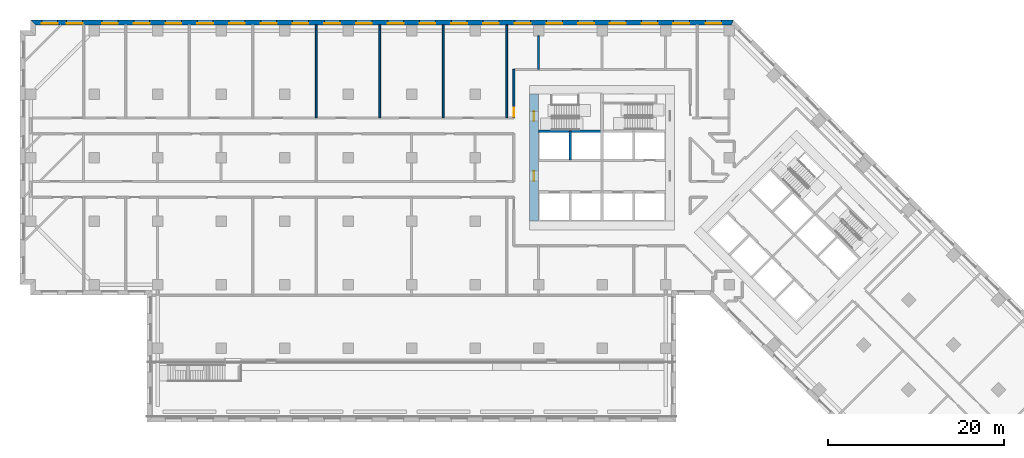
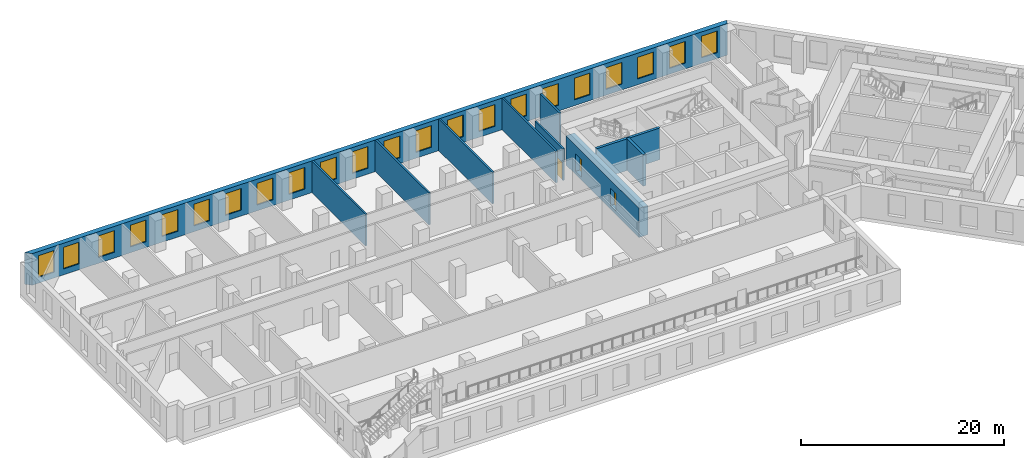
# One storey, part 5 of 13: 22 windows, 10 walls, 3 doors, 25 openings.
"""IFC4 building model written with IfcOpenShell, lengths in metres."""

import ifcopenshell
import ifcopenshell.guid

model = None  # the IFC model being written
_history = None  # IfcOwnerHistory: only IFC2X3 demands one
_inside = {}  # id of a spatial element -> (the spatial element, [elements in it])
_under = {}  # id of a project, library or spatial element -> (it, [spatial elements below it])
_declared = {}  # id of a project -> (the project, [libraries it declares])
_typed = {}  # id of a type object -> (the type object, [elements of that type])
_made_of = {}  # id of a material, layer set ... -> (it, [elements and type objects made of it])


def new_model(schema):
    """Start an empty IFC model of exactly this schema.

    Asked for "IFC4X3", IfcOpenShell would pick the latest addendum, in which some entities
    have other attributes; the version numbers below select the first issue.
    IFC2X3 requires an IfcOwnerHistory on every rooted entity: one is made here for all.
    """
    global model, _history
    if schema == "IFC4X3":
        model = ifcopenshell.file(schema_version=(4, 3, 0, 0))
    else:
        model = ifcopenshell.file(schema=schema)
    _inside.clear()
    _under.clear()
    _declared.clear()
    _typed.clear()
    _made_of.clear()
    _history = None
    if model.schema == "IFC2X3":
        org = make("IfcOrganization", Name="unknown")
        user = make(
            "IfcPersonAndOrganization",
            ThePerson=make("IfcPerson", FamilyName="unknown"),
            TheOrganization=org,
        )
        app = make(
            "IfcApplication",
            ApplicationDeveloper=org,
            Version="unknown",
            ApplicationFullName="unknown",
            ApplicationIdentifier="unknown",
        )
        _history = make(
            "IfcOwnerHistory",
            OwningUser=user,
            OwningApplication=app,
            ChangeAction="ADDED",
            CreationDate=0,
        )
    return model


def make(cls, **values):
    """One entity of the class cls with the attributes given. An attribute that is None is left unset."""
    return model.create_entity(
        cls, **{name: value for name, value in values.items() if value is not None}
    )


def rooted(cls, **values):
    """An entity with a GlobalId (a new one), such as an element, a storey or a relation."""
    return make(cls, GlobalId=ifcopenshell.guid.new(), OwnerHistory=_history, **values)


def si_unit(unit_type, name, prefix=None):
    """IfcSIUnit, for example si_unit("LENGTHUNIT", "METRE", prefix="MILLI")."""
    return make("IfcSIUnit", UnitType=unit_type, Prefix=prefix, Name=name)


def assignment(units):
    """IfcUnitAssignment: the units of a project."""
    return None if units is None else make("IfcUnitAssignment", Units=units)


def point(xyz):
    """IfcCartesianPoint."""
    return None if xyz is None else make("IfcCartesianPoint", Coordinates=xyz)


def direction(xyz):
    """IfcDirection."""
    return None if xyz is None else make("IfcDirection", DirectionRatios=xyz)


def frame(location, z_axis=None, x_axis=None):
    """IfcAxis2Placement3D, a coordinate frame: its origin and axes. An axis left out is left unset."""
    return make(
        "IfcAxis2Placement3D",
        Location=point(location),
        Axis=direction(z_axis),
        RefDirection=direction(x_axis),
    )


def frame_2d(location, x_axis=None):
    """IfcAxis2Placement2D, a coordinate frame in the plane: its origin and x axis."""
    return make(
        "IfcAxis2Placement2D", Location=point(location), RefDirection=direction(x_axis)
    )


def origin():
    """The frame at (0, 0, 0) with its axes left unset."""
    return frame((0.0, 0.0, 0.0))


def place(relative_to, where):
    """IfcLocalPlacement: puts the frame where relative to a parent placement (None: the world)."""
    return make(
        "IfcLocalPlacement", PlacementRelTo=relative_to, RelativePlacement=where
    )


def context(
    kind, dimensions, precision=None, world=None, true_north=None, identifier=None
):
    """IfcGeometricRepresentationContext, for example the 3D "Model" context."""
    return make(
        "IfcGeometricRepresentationContext",
        ContextIdentifier=identifier,
        ContextType=kind,
        CoordinateSpaceDimension=dimensions,
        Precision=precision,
        WorldCoordinateSystem=world,
        TrueNorth=true_north,
    )


def subcontext(parent, identifier, kind, view, scale=None):
    """IfcGeometricRepresentationSubContext, for example "Body" below "Model"."""
    return make(
        "IfcGeometricRepresentationSubContext",
        ContextIdentifier=identifier,
        ContextType=kind,
        ParentContext=parent,
        TargetScale=scale,
        TargetView=view,
    )


def project(units=None, contexts=None):
    """IfcProject with its units and contexts."""
    return rooted(
        "IfcProject",
        Name="project",
        RepresentationContexts=contexts,
        UnitsInContext=assignment(units),
    )


def spatial(cls, under=None, at=None, **own):
    """A site, building, storey or space (cls), placed at a placement, below another one or the project."""
    s = rooted(cls, ObjectPlacement=at, **own)
    if under is not None:
        _under.setdefault(under.id(), (under, []))[1].append(s)
    return s


def polyline(points):
    """IfcPolyline through the points."""
    return make("IfcPolyline", Points=[point(p) for p in points])


def profile(cls, at=None, kind="AREA", **sizes):
    """A parametric profile (cls). Its sizes go by their IFC names, for example OverallWidth=200.0."""
    return make(cls, ProfileType=kind, Position=at, **sizes)


def rectangle(**sizes):
    """IfcRectangleProfileDef."""
    return profile("IfcRectangleProfileDef", **sizes)


def outline(outer, holes=None, kind="AREA"):
    """IfcArbitraryClosedProfileDef: a profile drawn as a closed curve; with holes, ...WithVoids."""
    if holes is None:
        return make("IfcArbitraryClosedProfileDef", ProfileType=kind, OuterCurve=outer)
    return make(
        "IfcArbitraryProfileDefWithVoids",
        ProfileType=kind,
        OuterCurve=outer,
        InnerCurves=holes,
    )


def extrude(swept, where, along, depth):
    """IfcExtrudedAreaSolid: the profile swept, set in the frame where, extruded along a direction by depth."""
    return make(
        "IfcExtrudedAreaSolid",
        SweptArea=swept,
        Position=where,
        ExtrudedDirection=direction(along),
        Depth=depth,
    )


def shape(context_of_items, identifier, shape_type, items):
    """IfcShapeRepresentation: the items that make up one representation, for example the "Body"."""
    return make(
        "IfcShapeRepresentation",
        ContextOfItems=context_of_items,
        RepresentationIdentifier=identifier,
        RepresentationType=shape_type,
        Items=items,
    )


def material(Name=None, Category=None):
    """IfcMaterial."""
    return make("IfcMaterial", Name=Name, Category=Category)


def layer(
    of_material, thickness, ventilated=None, Name=None, Category=None, Priority=None
):
    """IfcMaterialLayer: one layer of a wall or slab, of a material (None: an air gap)."""
    return make(
        "IfcMaterialLayer",
        Material=of_material,
        LayerThickness=thickness,
        IsVentilated=ventilated,
        Name=Name,
        Category=Category,
        Priority=Priority,
    )


def layer_set(layers, Name=None):
    """IfcMaterialLayerSet."""
    return make("IfcMaterialLayerSet", MaterialLayers=layers, LayerSetName=Name)


def made_of(thing, what):
    """Note that an element or type object is made of a material, layer set ...; save() writes the relation."""
    if what is not None:
        _made_of.setdefault(what.id(), (what, []))[1].append(thing)
    return thing


def type_object(cls, material=None, **own):
    """A type object (cls), such as IfcWallType, which elements share."""
    return made_of(rooted(cls, **own), material)


def element(
    cls,
    number,
    at=None,
    inside=None,
    cuts=None,
    type_object=None,
    material=None,
    context=None,
    identifier="Body",
    shape_type=None,
    held_by="IfcProductDefinitionShape",
    body=None,
    shapes=None,
    **own,
):
    """One element of the class cls, such as IfcWall. Its Tag is "e" and its number.

    at: its placement. inside: the storey or other place that contains it. cuts: it is an
    opening in that element (IfcRelVoidsElement). A single representation is given by context,
    identifier, shape_type and body (its items); several are given by shapes. held_by: the class
    of the entity that holds the representations. save() writes the other relations.
    """
    e = rooted(cls, Tag="e%d" % number, ObjectPlacement=at, **own)
    if body is not None:
        shapes = [shape(context, identifier, shape_type, body)]
    if shapes is not None:
        e.Representation = make(held_by, Representations=shapes)
    if inside is not None:
        _inside.setdefault(inside.id(), (inside, []))[1].append(e)
    if cuts is not None:
        rooted(
            "IfcRelVoidsElement", RelatingBuildingElement=cuts, RelatedOpeningElement=e
        )
    if type_object is not None:
        _typed.setdefault(type_object.id(), (type_object, []))[1].append(e)
    return made_of(e, material)


def fill(opening, filler):
    """IfcRelFillsElement: the door or window that sits in an opening."""
    return rooted(
        "IfcRelFillsElement",
        RelatingOpeningElement=opening,
        RelatedBuildingElement=filler,
    )


def aggregate(whole, parts):
    """IfcRelAggregates: a whole, such as a stair, and the parts it consists of."""
    return rooted("IfcRelAggregates", RelatingObject=whole, RelatedObjects=parts)


def save(model, path):
    """Write the relations noted so far, then the file.

    IfcRelAggregates (storeys below a building ...), IfcRelContainedInSpatialStructure (elements
    in a storey), IfcRelDefinesByType, IfcRelAssociatesMaterial and IfcRelDeclares: one each for
    every whole, place, type object, material and project.
    """
    for whole, parts in _under.values():
        aggregate(whole, parts)
    for where, things in _inside.values():
        rooted(
            "IfcRelContainedInSpatialStructure",
            RelatedElements=things,
            RelatingStructure=where,
        )
    for kind, things in _typed.values():
        rooted("IfcRelDefinesByType", RelatedObjects=things, RelatingType=kind)
    for what, things in _made_of.values():
        rooted("IfcRelAssociatesMaterial", RelatedObjects=things, RelatingMaterial=what)
    for by, libraries in _declared.values():
        rooted("IfcRelDeclares", RelatingContext=by, RelatedDefinitions=libraries)
    model.write(path)


model = new_model("IFC4")

# Units and contexts
model_context = context("Model", 3, precision=1e-05, world=origin(), true_north=direction((0.0, 1.0)))
body_context = subcontext(model_context, "Body", "Model", "MODEL_VIEW")
ifc_project = project(units=[si_unit("LENGTHUNIT", "METRE"), si_unit("AREAUNIT", "SQUARE_METRE"), si_unit("VOLUMEUNIT", "CUBIC_METRE"), si_unit("PLANEANGLEUNIT", "RADIAN"), si_unit("MASSUNIT", "GRAM", prefix="KILO")], contexts=[model_context])

# Site, building, storey
site_placement = place(None, origin())
site = spatial("IfcSite", under=ifc_project, at=site_placement, CompositionType="ELEMENT")
building_placement = place(site_placement, origin())
building = spatial("IfcBuilding", under=site, at=building_placement, Name="Windrow Commons", CompositionType="ELEMENT")
storey_placement = place(building_placement, frame((0.0, 0.0, 14.4)))
storey = spatial("IfcBuildingStorey", under=building, at=storey_placement, Name="L03", CompositionType="ELEMENT", Elevation=14.4)

# Wall, openings, windows
ifc_material_1 = material(Name="Brick masonry, red clay brick", Category="masonry")
ifc_layer_1 = layer(ifc_material_1, 0.55)
ifc_layer_set_1 = layer_set([ifc_layer_1], Name="Brick facade wall 550")
wall_type_1 = type_object("IfcWallType", Name="Brick facade wall 550", PredefinedType="SOLIDWALL", material=ifc_layer_set_1)
wall_1_placement = place(storey_placement, frame((79.5832, 72.925, 0.0), z_axis=(0.0, 0.0, 1.0), x_axis=(-1.0, 0.0, 0.0)))
wall_1 = element("IfcWall", 1, at=wall_1_placement, inside=storey, type_object=wall_type_1, Name="Brick facade wall L03 5", PredefinedType="SOLIDWALL", context=body_context, shape_type="SweptSolid", body=[
    extrude(outline(polyline([(-0.1139, -0.275), (79.5832, -0.275), (79.0332, 0.275), (0.1139, 0.275), (-0.1139, -0.275)])), origin(), (0.0, 0.0, 1.0), 3.8),
])
opening_1_placement = place(wall_1_placement, frame((1.2486, 0.0, 0.7)))
opening_1 = element("IfcOpeningElement", 2, at=opening_1_placement, cuts=wall_1, Name="Opening W2", PredefinedType="OPENING", context=body_context, shape_type="SweptSolid", body=[
    extrude(rectangle(XDim=1.8, YDim=2.6, at=frame_2d((0.9, 1.3))), frame((0.0, 0.285, 0.0), z_axis=(0.0, -1.0, 0.0), x_axis=(1.0, 0.0, 0.0)), (0.0, 0.0, 1.0), 0.57),
])
opening_2_placement = place(wall_1_placement, frame((4.8832, 0.0, 0.7)))
opening_2 = element("IfcOpeningElement", 3, at=opening_2_placement, cuts=wall_1, Name="Opening W2", PredefinedType="OPENING", context=body_context, shape_type="SweptSolid", body=[
    extrude(rectangle(XDim=1.8, YDim=2.6, at=frame_2d((0.9, 1.3))), frame((0.0, 0.285, 0.0), z_axis=(0.0, -1.0, 0.0), x_axis=(1.0, 0.0, 0.0)), (0.0, 0.0, 1.0), 0.57),
])
opening_3_placement = place(wall_1_placement, frame((8.4832, 0.0, 0.7)))
opening_3 = element("IfcOpeningElement", 4, at=opening_3_placement, cuts=wall_1, Name="Opening W2", PredefinedType="OPENING", context=body_context, shape_type="SweptSolid", body=[
    extrude(rectangle(XDim=1.8, YDim=2.6, at=frame_2d((0.9, 1.3))), frame((0.0, 0.285, 0.0), z_axis=(0.0, -1.0, 0.0), x_axis=(1.0, 0.0, 0.0)), (0.0, 0.0, 1.0), 0.57),
])
opening_4_placement = place(wall_1_placement, frame((12.0832, 0.0, 0.7)))
opening_4 = element("IfcOpeningElement", 5, at=opening_4_placement, cuts=wall_1, Name="Opening W2", PredefinedType="OPENING", context=body_context, shape_type="SweptSolid", body=[
    extrude(rectangle(XDim=1.8, YDim=2.6, at=frame_2d((0.9, 1.3))), frame((0.0, 0.285, 0.0), z_axis=(0.0, -1.0, 0.0), x_axis=(1.0, 0.0, 0.0)), (0.0, 0.0, 1.0), 0.57),
])
opening_5_placement = place(wall_1_placement, frame((15.6832, 0.0, 0.7)))
opening_5 = element("IfcOpeningElement", 6, at=opening_5_placement, cuts=wall_1, Name="Opening W2", PredefinedType="OPENING", context=body_context, shape_type="SweptSolid", body=[
    extrude(rectangle(XDim=1.8, YDim=2.6, at=frame_2d((0.9, 1.3))), frame((0.0, 0.285, 0.0), z_axis=(0.0, -1.0, 0.0), x_axis=(1.0, 0.0, 0.0)), (0.0, 0.0, 1.0), 0.57),
])
opening_6_placement = place(wall_1_placement, frame((19.2832, 0.0, 0.7)))
opening_6 = element("IfcOpeningElement", 7, at=opening_6_placement, cuts=wall_1, Name="Opening W2", PredefinedType="OPENING", context=body_context, shape_type="SweptSolid", body=[
    extrude(rectangle(XDim=1.8, YDim=2.6, at=frame_2d((0.9, 1.3))), frame((0.0, 0.285, 0.0), z_axis=(0.0, -1.0, 0.0), x_axis=(1.0, 0.0, 0.0)), (0.0, 0.0, 1.0), 0.57),
])
opening_7_placement = place(wall_1_placement, frame((22.8832, 0.0, 0.7)))
opening_7 = element("IfcOpeningElement", 8, at=opening_7_placement, cuts=wall_1, Name="Opening W2", PredefinedType="OPENING", context=body_context, shape_type="SweptSolid", body=[
    extrude(rectangle(XDim=1.8, YDim=2.6, at=frame_2d((0.9, 1.3))), frame((0.0, 0.285, 0.0), z_axis=(0.0, -1.0, 0.0), x_axis=(1.0, 0.0, 0.0)), (0.0, 0.0, 1.0), 0.57),
])
opening_8_placement = place(wall_1_placement, frame((26.4832, 0.0, 0.7)))
opening_8 = element("IfcOpeningElement", 9, at=opening_8_placement, cuts=wall_1, Name="Opening W2", PredefinedType="OPENING", context=body_context, shape_type="SweptSolid", body=[
    extrude(rectangle(XDim=1.8, YDim=2.6, at=frame_2d((0.9, 1.3))), frame((0.0, 0.285, 0.0), z_axis=(0.0, -1.0, 0.0), x_axis=(1.0, 0.0, 0.0)), (0.0, 0.0, 1.0), 0.57),
])
opening_9_placement = place(wall_1_placement, frame((30.0832, 0.0, 0.7)))
opening_9 = element("IfcOpeningElement", 10, at=opening_9_placement, cuts=wall_1, Name="Opening W2", PredefinedType="OPENING", context=body_context, shape_type="SweptSolid", body=[
    extrude(rectangle(XDim=1.8, YDim=2.6, at=frame_2d((0.9, 1.3))), frame((0.0, 0.285, 0.0), z_axis=(0.0, -1.0, 0.0), x_axis=(1.0, 0.0, 0.0)), (0.0, 0.0, 1.0), 0.57),
])
opening_10_placement = place(wall_1_placement, frame((33.6832, 0.0, 0.7)))
opening_10 = element("IfcOpeningElement", 11, at=opening_10_placement, cuts=wall_1, Name="Opening W2", PredefinedType="OPENING", context=body_context, shape_type="SweptSolid", body=[
    extrude(rectangle(XDim=1.8, YDim=2.6, at=frame_2d((0.9, 1.3))), frame((0.0, 0.285, 0.0), z_axis=(0.0, -1.0, 0.0), x_axis=(1.0, 0.0, 0.0)), (0.0, 0.0, 1.0), 0.57),
])
opening_11_placement = place(wall_1_placement, frame((37.2832, 0.0, 0.7)))
opening_11 = element("IfcOpeningElement", 12, at=opening_11_placement, cuts=wall_1, Name="Opening W2", PredefinedType="OPENING", context=body_context, shape_type="SweptSolid", body=[
    extrude(rectangle(XDim=1.8, YDim=2.6, at=frame_2d((0.9, 1.3))), frame((0.0, 0.285, 0.0), z_axis=(0.0, -1.0, 0.0), x_axis=(1.0, 0.0, 0.0)), (0.0, 0.0, 1.0), 0.57),
])
opening_12_placement = place(wall_1_placement, frame((40.8832, 0.0, 0.7)))
opening_12 = element("IfcOpeningElement", 13, at=opening_12_placement, cuts=wall_1, Name="Opening W2", PredefinedType="OPENING", context=body_context, shape_type="SweptSolid", body=[
    extrude(rectangle(XDim=1.8, YDim=2.6, at=frame_2d((0.9, 1.3))), frame((0.0, 0.285, 0.0), z_axis=(0.0, -1.0, 0.0), x_axis=(1.0, 0.0, 0.0)), (0.0, 0.0, 1.0), 0.57),
])
opening_13_placement = place(wall_1_placement, frame((44.4832, 0.0, 0.7)))
opening_13 = element("IfcOpeningElement", 14, at=opening_13_placement, cuts=wall_1, Name="Opening W2", PredefinedType="OPENING", context=body_context, shape_type="SweptSolid", body=[
    extrude(rectangle(XDim=1.8, YDim=2.6, at=frame_2d((0.9, 1.3))), frame((0.0, 0.285, 0.0), z_axis=(0.0, -1.0, 0.0), x_axis=(1.0, 0.0, 0.0)), (0.0, 0.0, 1.0), 0.57),
])
opening_14_placement = place(wall_1_placement, frame((48.0832, 0.0, 0.7)))
opening_14 = element("IfcOpeningElement", 15, at=opening_14_placement, cuts=wall_1, Name="Opening W2", PredefinedType="OPENING", context=body_context, shape_type="SweptSolid", body=[
    extrude(rectangle(XDim=1.8, YDim=2.6, at=frame_2d((0.9, 1.3))), frame((0.0, 0.285, 0.0), z_axis=(0.0, -1.0, 0.0), x_axis=(1.0, 0.0, 0.0)), (0.0, 0.0, 1.0), 0.57),
])
opening_15_placement = place(wall_1_placement, frame((51.6832, 0.0, 0.7)))
opening_15 = element("IfcOpeningElement", 16, at=opening_15_placement, cuts=wall_1, Name="Opening W2", PredefinedType="OPENING", context=body_context, shape_type="SweptSolid", body=[
    extrude(rectangle(XDim=1.8, YDim=2.6, at=frame_2d((0.9, 1.3))), frame((0.0, 0.285, 0.0), z_axis=(0.0, -1.0, 0.0), x_axis=(1.0, 0.0, 0.0)), (0.0, 0.0, 1.0), 0.57),
])
opening_16_placement = place(wall_1_placement, frame((55.2832, 0.0, 0.7)))
opening_16 = element("IfcOpeningElement", 17, at=opening_16_placement, cuts=wall_1, Name="Opening W2", PredefinedType="OPENING", context=body_context, shape_type="SweptSolid", body=[
    extrude(rectangle(XDim=1.8, YDim=2.6, at=frame_2d((0.9, 1.3))), frame((0.0, 0.285, 0.0), z_axis=(0.0, -1.0, 0.0), x_axis=(1.0, 0.0, 0.0)), (0.0, 0.0, 1.0), 0.57),
])
opening_17_placement = place(wall_1_placement, frame((58.8832, 0.0, 0.7)))
opening_17 = element("IfcOpeningElement", 18, at=opening_17_placement, cuts=wall_1, Name="Opening W2", PredefinedType="OPENING", context=body_context, shape_type="SweptSolid", body=[
    extrude(rectangle(XDim=1.8, YDim=2.6, at=frame_2d((0.9, 1.3))), frame((0.0, 0.285, 0.0), z_axis=(0.0, -1.0, 0.0), x_axis=(1.0, 0.0, 0.0)), (0.0, 0.0, 1.0), 0.57),
])
opening_18_placement = place(wall_1_placement, frame((62.4832, 0.0, 0.7)))
opening_18 = element("IfcOpeningElement", 19, at=opening_18_placement, cuts=wall_1, Name="Opening W2", PredefinedType="OPENING", context=body_context, shape_type="SweptSolid", body=[
    extrude(rectangle(XDim=1.8, YDim=2.6, at=frame_2d((0.9, 1.3))), frame((0.0, 0.285, 0.0), z_axis=(0.0, -1.0, 0.0), x_axis=(1.0, 0.0, 0.0)), (0.0, 0.0, 1.0), 0.57),
])
opening_19_placement = place(wall_1_placement, frame((66.0832, 0.0, 0.7)))
opening_19 = element("IfcOpeningElement", 20, at=opening_19_placement, cuts=wall_1, Name="Opening W2", PredefinedType="OPENING", context=body_context, shape_type="SweptSolid", body=[
    extrude(rectangle(XDim=1.8, YDim=2.6, at=frame_2d((0.9, 1.3))), frame((0.0, 0.285, 0.0), z_axis=(0.0, -1.0, 0.0), x_axis=(1.0, 0.0, 0.0)), (0.0, 0.0, 1.0), 0.57),
])
opening_20_placement = place(wall_1_placement, frame((69.6832, 0.0, 0.7)))
opening_20 = element("IfcOpeningElement", 21, at=opening_20_placement, cuts=wall_1, Name="Opening W2", PredefinedType="OPENING", context=body_context, shape_type="SweptSolid", body=[
    extrude(rectangle(XDim=1.8, YDim=2.6, at=frame_2d((0.9, 1.3))), frame((0.0, 0.285, 0.0), z_axis=(0.0, -1.0, 0.0), x_axis=(1.0, 0.0, 0.0)), (0.0, 0.0, 1.0), 0.57),
])
opening_21_placement = place(wall_1_placement, frame((73.6832, 0.0, 0.7)))
opening_21 = element("IfcOpeningElement", 22, at=opening_21_placement, cuts=wall_1, Name="Opening W2", PredefinedType="OPENING", context=body_context, shape_type="SweptSolid", body=[
    extrude(rectangle(XDim=1.8, YDim=2.6, at=frame_2d((0.9, 1.3))), frame((0.0, 0.285, 0.0), z_axis=(0.0, -1.0, 0.0), x_axis=(1.0, 0.0, 0.0)), (0.0, 0.0, 1.0), 0.57),
])
opening_22_placement = place(wall_1_placement, frame((76.5082, 0.0, 0.7)))
opening_22 = element("IfcOpeningElement", 23, at=opening_22_placement, cuts=wall_1, Name="Opening W2", PredefinedType="OPENING", context=body_context, shape_type="SweptSolid", body=[
    extrude(rectangle(XDim=1.8, YDim=2.6, at=frame_2d((0.9, 1.3))), frame((0.0, 0.285, 0.0), z_axis=(0.0, -1.0, 0.0), x_axis=(1.0, 0.0, 0.0)), (0.0, 0.0, 1.0), 0.57),
])
ifc_material_2 = material(Name="Clear float glass in anodised aluminium frame", Category="aluminium")
window_type = type_object("IfcWindowType", Name="Window W2 podium 1800x2600", PartitioningType="SINGLE_PANEL", PredefinedType="WINDOW", material=ifc_material_2)
window_1_placement = place(opening_1_placement, origin())
window_1 = element("IfcWindow", 24, at=window_1_placement, inside=storey, type_object=window_type, Name="Window L03 5.1", OverallHeight=2.6, OverallWidth=1.8, PartitioningType="SINGLE_PANEL", PredefinedType="WINDOW", context=body_context, shape_type="SweptSolid", body=[
    extrude(rectangle(XDim=1.8, YDim=2.6, at=frame_2d((0.9, 1.3))), frame((0.0, 0.155, 0.0), z_axis=(0.0, -1.0, 0.0), x_axis=(1.0, 0.0, 0.0)), (0.0, 0.0, 1.0), 0.06),
])
fill(opening_1, window_1)
window_2_placement = place(opening_2_placement, origin())
window_2 = element("IfcWindow", 25, at=window_2_placement, inside=storey, type_object=window_type, Name="Window L03 5.2", OverallHeight=2.6, OverallWidth=1.8, PartitioningType="SINGLE_PANEL", PredefinedType="WINDOW", context=body_context, shape_type="SweptSolid", body=[
    extrude(rectangle(XDim=1.8, YDim=2.6, at=frame_2d((0.9, 1.3))), frame((0.0, 0.155, 0.0), z_axis=(0.0, -1.0, 0.0), x_axis=(1.0, 0.0, 0.0)), (0.0, 0.0, 1.0), 0.06),
])
fill(opening_2, window_2)
window_3_placement = place(opening_3_placement, origin())
window_3 = element("IfcWindow", 26, at=window_3_placement, inside=storey, type_object=window_type, Name="Window L03 5.3", OverallHeight=2.6, OverallWidth=1.8, PartitioningType="SINGLE_PANEL", PredefinedType="WINDOW", context=body_context, shape_type="SweptSolid", body=[
    extrude(rectangle(XDim=1.8, YDim=2.6, at=frame_2d((0.9, 1.3))), frame((0.0, 0.155, 0.0), z_axis=(0.0, -1.0, 0.0), x_axis=(1.0, 0.0, 0.0)), (0.0, 0.0, 1.0), 0.06),
])
fill(opening_3, window_3)
window_4_placement = place(opening_4_placement, origin())
window_4 = element("IfcWindow", 27, at=window_4_placement, inside=storey, type_object=window_type, Name="Window L03 5.4", OverallHeight=2.6, OverallWidth=1.8, PartitioningType="SINGLE_PANEL", PredefinedType="WINDOW", context=body_context, shape_type="SweptSolid", body=[
    extrude(rectangle(XDim=1.8, YDim=2.6, at=frame_2d((0.9, 1.3))), frame((0.0, 0.155, 0.0), z_axis=(0.0, -1.0, 0.0), x_axis=(1.0, 0.0, 0.0)), (0.0, 0.0, 1.0), 0.06),
])
fill(opening_4, window_4)
window_5_placement = place(opening_5_placement, origin())
window_5 = element("IfcWindow", 28, at=window_5_placement, inside=storey, type_object=window_type, Name="Window L03 5.5", OverallHeight=2.6, OverallWidth=1.8, PartitioningType="SINGLE_PANEL", PredefinedType="WINDOW", context=body_context, shape_type="SweptSolid", body=[
    extrude(rectangle(XDim=1.8, YDim=2.6, at=frame_2d((0.9, 1.3))), frame((0.0, 0.155, 0.0), z_axis=(0.0, -1.0, 0.0), x_axis=(1.0, 0.0, 0.0)), (0.0, 0.0, 1.0), 0.06),
])
fill(opening_5, window_5)
window_6_placement = place(opening_6_placement, origin())
window_6 = element("IfcWindow", 29, at=window_6_placement, inside=storey, type_object=window_type, Name="Window L03 5.6", OverallHeight=2.6, OverallWidth=1.8, PartitioningType="SINGLE_PANEL", PredefinedType="WINDOW", context=body_context, shape_type="SweptSolid", body=[
    extrude(rectangle(XDim=1.8, YDim=2.6, at=frame_2d((0.9, 1.3))), frame((0.0, 0.155, 0.0), z_axis=(0.0, -1.0, 0.0), x_axis=(1.0, 0.0, 0.0)), (0.0, 0.0, 1.0), 0.06),
])
fill(opening_6, window_6)
window_7_placement = place(opening_7_placement, origin())
window_7 = element("IfcWindow", 30, at=window_7_placement, inside=storey, type_object=window_type, Name="Window L03 5.7", OverallHeight=2.6, OverallWidth=1.8, PartitioningType="SINGLE_PANEL", PredefinedType="WINDOW", context=body_context, shape_type="SweptSolid", body=[
    extrude(rectangle(XDim=1.8, YDim=2.6, at=frame_2d((0.9, 1.3))), frame((0.0, 0.155, 0.0), z_axis=(0.0, -1.0, 0.0), x_axis=(1.0, 0.0, 0.0)), (0.0, 0.0, 1.0), 0.06),
])
fill(opening_7, window_7)
window_8_placement = place(opening_8_placement, origin())
window_8 = element("IfcWindow", 31, at=window_8_placement, inside=storey, type_object=window_type, Name="Window L03 5.8", OverallHeight=2.6, OverallWidth=1.8, PartitioningType="SINGLE_PANEL", PredefinedType="WINDOW", context=body_context, shape_type="SweptSolid", body=[
    extrude(rectangle(XDim=1.8, YDim=2.6, at=frame_2d((0.9, 1.3))), frame((0.0, 0.155, 0.0), z_axis=(0.0, -1.0, 0.0), x_axis=(1.0, 0.0, 0.0)), (0.0, 0.0, 1.0), 0.06),
])
fill(opening_8, window_8)
window_9_placement = place(opening_9_placement, origin())
window_9 = element("IfcWindow", 32, at=window_9_placement, inside=storey, type_object=window_type, Name="Window L03 5.9", OverallHeight=2.6, OverallWidth=1.8, PartitioningType="SINGLE_PANEL", PredefinedType="WINDOW", context=body_context, shape_type="SweptSolid", body=[
    extrude(rectangle(XDim=1.8, YDim=2.6, at=frame_2d((0.9, 1.3))), frame((0.0, 0.155, 0.0), z_axis=(0.0, -1.0, 0.0), x_axis=(1.0, 0.0, 0.0)), (0.0, 0.0, 1.0), 0.06),
])
fill(opening_9, window_9)
window_10_placement = place(opening_10_placement, origin())
window_10 = element("IfcWindow", 33, at=window_10_placement, inside=storey, type_object=window_type, Name="Window L03 5.10", OverallHeight=2.6, OverallWidth=1.8, PartitioningType="SINGLE_PANEL", PredefinedType="WINDOW", context=body_context, shape_type="SweptSolid", body=[
    extrude(rectangle(XDim=1.8, YDim=2.6, at=frame_2d((0.9, 1.3))), frame((0.0, 0.155, 0.0), z_axis=(0.0, -1.0, 0.0), x_axis=(1.0, 0.0, 0.0)), (0.0, 0.0, 1.0), 0.06),
])
fill(opening_10, window_10)
window_11_placement = place(opening_11_placement, origin())
window_11 = element("IfcWindow", 34, at=window_11_placement, inside=storey, type_object=window_type, Name="Window L03 5.11", OverallHeight=2.6, OverallWidth=1.8, PartitioningType="SINGLE_PANEL", PredefinedType="WINDOW", context=body_context, shape_type="SweptSolid", body=[
    extrude(rectangle(XDim=1.8, YDim=2.6, at=frame_2d((0.9, 1.3))), frame((0.0, 0.155, 0.0), z_axis=(0.0, -1.0, 0.0), x_axis=(1.0, 0.0, 0.0)), (0.0, 0.0, 1.0), 0.06),
])
fill(opening_11, window_11)
window_12_placement = place(opening_12_placement, origin())
window_12 = element("IfcWindow", 35, at=window_12_placement, inside=storey, type_object=window_type, Name="Window L03 5.12", OverallHeight=2.6, OverallWidth=1.8, PartitioningType="SINGLE_PANEL", PredefinedType="WINDOW", context=body_context, shape_type="SweptSolid", body=[
    extrude(rectangle(XDim=1.8, YDim=2.6, at=frame_2d((0.9, 1.3))), frame((0.0, 0.155, 0.0), z_axis=(0.0, -1.0, 0.0), x_axis=(1.0, 0.0, 0.0)), (0.0, 0.0, 1.0), 0.06),
])
fill(opening_12, window_12)
window_13_placement = place(opening_13_placement, origin())
window_13 = element("IfcWindow", 36, at=window_13_placement, inside=storey, type_object=window_type, Name="Window L03 5.13", OverallHeight=2.6, OverallWidth=1.8, PartitioningType="SINGLE_PANEL", PredefinedType="WINDOW", context=body_context, shape_type="SweptSolid", body=[
    extrude(rectangle(XDim=1.8, YDim=2.6, at=frame_2d((0.9, 1.3))), frame((0.0, 0.155, 0.0), z_axis=(0.0, -1.0, 0.0), x_axis=(1.0, 0.0, 0.0)), (0.0, 0.0, 1.0), 0.06),
])
fill(opening_13, window_13)
window_14_placement = place(opening_14_placement, origin())
window_14 = element("IfcWindow", 37, at=window_14_placement, inside=storey, type_object=window_type, Name="Window L03 5.14", OverallHeight=2.6, OverallWidth=1.8, PartitioningType="SINGLE_PANEL", PredefinedType="WINDOW", context=body_context, shape_type="SweptSolid", body=[
    extrude(rectangle(XDim=1.8, YDim=2.6, at=frame_2d((0.9, 1.3))), frame((0.0, 0.155, 0.0), z_axis=(0.0, -1.0, 0.0), x_axis=(1.0, 0.0, 0.0)), (0.0, 0.0, 1.0), 0.06),
])
fill(opening_14, window_14)
window_15_placement = place(opening_15_placement, origin())
window_15 = element("IfcWindow", 38, at=window_15_placement, inside=storey, type_object=window_type, Name="Window L03 5.15", OverallHeight=2.6, OverallWidth=1.8, PartitioningType="SINGLE_PANEL", PredefinedType="WINDOW", context=body_context, shape_type="SweptSolid", body=[
    extrude(rectangle(XDim=1.8, YDim=2.6, at=frame_2d((0.9, 1.3))), frame((0.0, 0.155, 0.0), z_axis=(0.0, -1.0, 0.0), x_axis=(1.0, 0.0, 0.0)), (0.0, 0.0, 1.0), 0.06),
])
fill(opening_15, window_15)
window_16_placement = place(opening_16_placement, origin())
window_16 = element("IfcWindow", 39, at=window_16_placement, inside=storey, type_object=window_type, Name="Window L03 5.16", OverallHeight=2.6, OverallWidth=1.8, PartitioningType="SINGLE_PANEL", PredefinedType="WINDOW", context=body_context, shape_type="SweptSolid", body=[
    extrude(rectangle(XDim=1.8, YDim=2.6, at=frame_2d((0.9, 1.3))), frame((0.0, 0.155, 0.0), z_axis=(0.0, -1.0, 0.0), x_axis=(1.0, 0.0, 0.0)), (0.0, 0.0, 1.0), 0.06),
])
fill(opening_16, window_16)
window_17_placement = place(opening_17_placement, origin())
window_17 = element("IfcWindow", 40, at=window_17_placement, inside=storey, type_object=window_type, Name="Window L03 5.17", OverallHeight=2.6, OverallWidth=1.8, PartitioningType="SINGLE_PANEL", PredefinedType="WINDOW", context=body_context, shape_type="SweptSolid", body=[
    extrude(rectangle(XDim=1.8, YDim=2.6, at=frame_2d((0.9, 1.3))), frame((0.0, 0.155, 0.0), z_axis=(0.0, -1.0, 0.0), x_axis=(1.0, 0.0, 0.0)), (0.0, 0.0, 1.0), 0.06),
])
fill(opening_17, window_17)
window_18_placement = place(opening_18_placement, origin())
window_18 = element("IfcWindow", 41, at=window_18_placement, inside=storey, type_object=window_type, Name="Window L03 5.18", OverallHeight=2.6, OverallWidth=1.8, PartitioningType="SINGLE_PANEL", PredefinedType="WINDOW", context=body_context, shape_type="SweptSolid", body=[
    extrude(rectangle(XDim=1.8, YDim=2.6, at=frame_2d((0.9, 1.3))), frame((0.0, 0.155, 0.0), z_axis=(0.0, -1.0, 0.0), x_axis=(1.0, 0.0, 0.0)), (0.0, 0.0, 1.0), 0.06),
])
fill(opening_18, window_18)
window_19_placement = place(opening_19_placement, origin())
window_19 = element("IfcWindow", 42, at=window_19_placement, inside=storey, type_object=window_type, Name="Window L03 5.19", OverallHeight=2.6, OverallWidth=1.8, PartitioningType="SINGLE_PANEL", PredefinedType="WINDOW", context=body_context, shape_type="SweptSolid", body=[
    extrude(rectangle(XDim=1.8, YDim=2.6, at=frame_2d((0.9, 1.3))), frame((0.0, 0.155, 0.0), z_axis=(0.0, -1.0, 0.0), x_axis=(1.0, 0.0, 0.0)), (0.0, 0.0, 1.0), 0.06),
])
fill(opening_19, window_19)
window_20_placement = place(opening_20_placement, origin())
window_20 = element("IfcWindow", 43, at=window_20_placement, inside=storey, type_object=window_type, Name="Window L03 5.20", OverallHeight=2.6, OverallWidth=1.8, PartitioningType="SINGLE_PANEL", PredefinedType="WINDOW", context=body_context, shape_type="SweptSolid", body=[
    extrude(rectangle(XDim=1.8, YDim=2.6, at=frame_2d((0.9, 1.3))), frame((0.0, 0.155, 0.0), z_axis=(0.0, -1.0, 0.0), x_axis=(1.0, 0.0, 0.0)), (0.0, 0.0, 1.0), 0.06),
])
fill(opening_20, window_20)
window_21_placement = place(opening_21_placement, origin())
window_21 = element("IfcWindow", 44, at=window_21_placement, inside=storey, type_object=window_type, Name="Window L03 5.21", OverallHeight=2.6, OverallWidth=1.8, PartitioningType="SINGLE_PANEL", PredefinedType="WINDOW", context=body_context, shape_type="SweptSolid", body=[
    extrude(rectangle(XDim=1.8, YDim=2.6, at=frame_2d((0.9, 1.3))), frame((0.0, 0.155, 0.0), z_axis=(0.0, -1.0, 0.0), x_axis=(1.0, 0.0, 0.0)), (0.0, 0.0, 1.0), 0.06),
])
fill(opening_21, window_21)
window_22_placement = place(opening_22_placement, origin())
window_22 = element("IfcWindow", 45, at=window_22_placement, inside=storey, type_object=window_type, Name="Window L03 5.22", OverallHeight=2.6, OverallWidth=1.8, PartitioningType="SINGLE_PANEL", PredefinedType="WINDOW", context=body_context, shape_type="SweptSolid", body=[
    extrude(rectangle(XDim=1.8, YDim=2.6, at=frame_2d((0.9, 1.3))), frame((0.0, 0.155, 0.0), z_axis=(0.0, -1.0, 0.0), x_axis=(1.0, 0.0, 0.0)), (0.0, 0.0, 1.0), 0.06),
])
fill(opening_22, window_22)

# Wall, opening, door
ifc_material_3 = material(Name="Blockwork partition", Category="masonry")
ifc_layer_2 = layer(ifc_material_3, 0.2)
ifc_layer_set_2 = layer_set([ifc_layer_2], Name="IW-CORRIDOR-200")
wall_type_2 = type_object("IfcWallType", Name="IW-CORRIDOR-200", PredefinedType="PARTITIONING", material=ifc_layer_set_2)
wall_2_placement = place(storey_placement, frame((54.8, 62.102, 0.0), z_axis=(0.0, 0.0, 1.0), x_axis=(0.0, 1.0, 0.0)))
wall_2 = element("IfcWall", 46, at=wall_2_placement, inside=storey, type_object=wall_type_2, Name="W-L03-W044", PredefinedType="PARTITIONING", context=body_context, shape_type="SweptSolid", body=[
    extrude(rectangle(XDim=5.498, YDim=0.2, at=frame_2d((2.749, 0.0))), origin(), (0.0, 0.0, 1.0), 3.8),
])
opening_23_placement = place(wall_2_placement, frame((0.1523, 0.0, 0.0)))
opening_23 = element("IfcOpeningElement", 47, at=opening_23_placement, cuts=wall_2, Name="Opening D310F", PredefinedType="OPENING", context=body_context, shape_type="SweptSolid", body=[
    extrude(rectangle(XDim=1.0, YDim=2.1, at=frame_2d((0.5, 1.05))), frame((0.0, 0.11, 0.0), z_axis=(0.0, -1.0, 0.0), x_axis=(1.0, 0.0, 0.0)), (0.0, 0.0, 1.0), 0.22),
])
ifc_material_4 = material(Name="Timber door leaf", Category="wood")
door_type_1 = type_object("IfcDoorType", Name="DT-AMENITY-1000", OperationType="SINGLE_SWING_LEFT", PredefinedType="DOOR", material=ifc_material_4)
door_1_placement = place(opening_23_placement, origin())
door_1 = element("IfcDoor", 48, at=door_1_placement, inside=storey, type_object=door_type_1, Name="D-L03-D024", OperationType="SINGLE_SWING_LEFT", OverallHeight=2.1, OverallWidth=1.0, PredefinedType="DOOR", context=body_context, shape_type="SweptSolid", body=[
    extrude(rectangle(XDim=1.0, YDim=2.1, at=frame_2d((0.5, 1.05))), frame((0.0, 0.025, 0.0), z_axis=(0.0, -1.0, 0.0), x_axis=(1.0, 0.0, 0.0)), (0.0, 0.0, 1.0), 0.05),
])
fill(opening_23, door_1)

# Walls
ifc_material_5 = material(Name="Blockwork partition", Category="masonry")
ifc_layer_3 = layer(ifc_material_5, 0.2)
ifc_layer_set_3 = layer_set([ifc_layer_3], Name="IW-PARTY-200")
wall_type_3 = type_object("IfcWallType", Name="IW-PARTY-200", PredefinedType="PARTITIONING", material=ifc_layer_set_3)
for number, where, z_axis, x_axis, name in (
    (49, (32.4, 62.1, 0.0), (0.0, 0.0, 1.0), (0.0, 1.0, 0.0), "W-L03-W021"),
    (50, (39.6, 62.1, 0.0), (0.0, 0.0, 1.0), (0.0, 1.0, 0.0), "W-L03-W022"),
    (51, (46.8, 62.1, 0.0), (0.0, 0.0, 1.0), (0.0, 1.0, 0.0), "W-L03-W023"),
    (52, (54.0, 62.1, 0.0), (0.0, 0.0, 1.0), (0.0, 1.0, 0.0), "W-L03-W024"),
):
    element("IfcWall", number, at=place(storey_placement, frame(where, z_axis=z_axis, x_axis=x_axis)), inside=storey, type_object=wall_type_3, Name=name, PredefinedType="PARTITIONING", context=body_context, shape_type="SweptSolid", body=[
        extrude(rectangle(XDim=10.55, YDim=0.2, at=frame_2d((5.275, 0.0))), origin(), (0.0, 0.0, 1.0), 3.8),
    ])
wall_3_placement = place(storey_placement, frame((57.6, 67.6, 0.0), z_axis=(0.0, 0.0, 1.0), x_axis=(0.0, 1.0, 0.0)))
element("IfcWall", 53, at=wall_3_placement, inside=storey, type_object=wall_type_3, Name="W-L03-W053", PredefinedType="PARTITIONING", context=body_context, shape_type="SweptSolid", body=[
    extrude(rectangle(XDim=3.8, YDim=0.2, at=frame_2d((1.9, 0.0))), origin(), (0.0, 0.0, 1.0), 3.8),
])

# Wall, openings, doors
ifc_material_6 = material(Name="Concrete C60/75", Category="concrete")
ifc_layer_4 = layer(ifc_material_6, 1.0)
ifc_layer_set_4 = layer_set([ifc_layer_4], Name="RC CORE WALL 1000 C60/75")
wall_type_4 = type_object("IfcWallType", Name="RC CORE WALL 1000 C60/75", PredefinedType="SHEAR", material=ifc_layer_set_4)
wall_4_placement = place(storey_placement, frame((57.1, 50.4, -0.4), z_axis=(0.0, 0.0, 1.0), x_axis=(0.0, 1.0, 0.0)))
wall_4 = element("IfcWall", 54, at=wall_4_placement, inside=storey, type_object=wall_type_4, Name="Core A wall outer-W", PredefinedType="SHEAR", context=body_context, shape_type="SweptSolid", body=[
    extrude(rectangle(XDim=14.4, YDim=1.0, at=frame_2d((7.2, 0.0))), origin(), (0.0, 0.0, 1.0), 3.5),
])
opening_24_placement = place(wall_4_placement, frame((4.55, 0.0, 0.4)))
opening_24 = element("IfcOpeningElement", 55, at=opening_24_placement, cuts=wall_4, Name="Opening D6", PredefinedType="OPENING", context=body_context, shape_type="SweptSolid", body=[
    extrude(rectangle(XDim=1.1, YDim=2.1, at=frame_2d((0.55, 1.05))), frame((0.0, 0.51, 0.0), z_axis=(0.0, -1.0, 0.0), x_axis=(1.0, 0.0, 0.0)), (0.0, 0.0, 1.0), 1.02),
])
opening_25_placement = place(wall_4_placement, frame((11.35, 0.0, 0.4)))
opening_25 = element("IfcOpeningElement", 56, at=opening_25_placement, cuts=wall_4, Name="Opening D7", PredefinedType="OPENING", context=body_context, shape_type="SweptSolid", body=[
    extrude(rectangle(XDim=1.1, YDim=2.1, at=frame_2d((0.55, 1.05))), frame((0.0, 0.51, 0.0), z_axis=(0.0, -1.0, 0.0), x_axis=(1.0, 0.0, 0.0)), (0.0, 0.0, 1.0), 1.02),
])
ifc_material_7 = material(Name="Steel fire door leaf", Category="steel")
door_type_2 = type_object("IfcDoorType", Name="Core lobby door 1100", OperationType="SINGLE_SWING_LEFT", PredefinedType="DOOR", material=ifc_material_7)
door_2_placement = place(opening_24_placement, origin())
door_2 = element("IfcDoor", 57, at=door_2_placement, inside=storey, type_object=door_type_2, Name="Lift lobby door", OperationType="DOUBLE_DOOR_SINGLE_SWING", OverallHeight=2.1, OverallWidth=1.1, PredefinedType="DOOR", context=body_context, shape_type="SweptSolid", body=[
    extrude(rectangle(XDim=1.1, YDim=2.1, at=frame_2d((0.55, 1.05))), frame((0.0, 0.025, 0.0), z_axis=(0.0, -1.0, 0.0), x_axis=(1.0, 0.0, 0.0)), (0.0, 0.0, 1.0), 0.05),
])
fill(opening_24, door_2)
ifc_material_8 = material(Name="Steel fire door leaf", Category="steel")
door_type_3 = type_object("IfcDoorType", Name="Stair door 1100", OperationType="SINGLE_SWING_LEFT", PredefinedType="DOOR", material=ifc_material_8)
door_3_placement = place(opening_25_placement, origin())
door_3 = element("IfcDoor", 58, at=door_3_placement, inside=storey, type_object=door_type_3, Name="Stair door", OperationType="SINGLE_SWING_LEFT", OverallHeight=2.1, OverallWidth=1.1, PredefinedType="DOOR", context=body_context, shape_type="SweptSolid", body=[
    extrude(rectangle(XDim=1.1, YDim=2.1, at=frame_2d((0.55, 1.05))), frame((0.0, 0.025, 0.0), z_axis=(0.0, -1.0, 0.0), x_axis=(1.0, 0.0, 0.0)), (0.0, 0.0, 1.0), 0.05),
])
fill(opening_25, door_3)

# Walls
ifc_material_9 = material(Name="Concrete C60/75", Category="concrete")
ifc_layer_5 = layer(ifc_material_9, 0.3)
ifc_layer_set_5 = layer_set([ifc_layer_5], Name="RC SHAFT WALL 300 C60/75")
wall_type_5 = type_object("IfcWallType", Name="RC SHAFT WALL 300 C60/75", PredefinedType="SOLIDWALL", material=ifc_layer_set_5)
wall_5_placement = place(storey_placement, frame((61.2, 57.3, 0.0), z_axis=(0.0, 0.0, 1.0), x_axis=(0.0, 1.0, 0.0)))
element("IfcWall", 59, at=wall_5_placement, inside=storey, type_object=wall_type_5, Name="Core A wall shaft-N1", PredefinedType="SOLIDWALL", context=body_context, shape_type="SweptSolid", body=[
    extrude(rectangle(XDim=3.3, YDim=0.3, at=frame_2d((1.65, 0.0))), origin(), (0.0, 0.0, 1.0), 3.8),
])
wall_6_placement = place(storey_placement, frame((57.6, 60.6, 0.0), z_axis=(0.0, 0.0, 1.0), x_axis=(1.0, 0.0, 0.0)))
element("IfcWall", 60, at=wall_6_placement, inside=storey, type_object=wall_type_5, Name="Core A wall stair-S", PredefinedType="SOLIDWALL", context=body_context, shape_type="SweptSolid", body=[
    extrude(rectangle(XDim=7.2, YDim=0.3, at=frame_2d((3.6, 0.0))), origin(), (0.0, 0.0, 1.0), 3.8),
])

save(model, "model.ifc")
